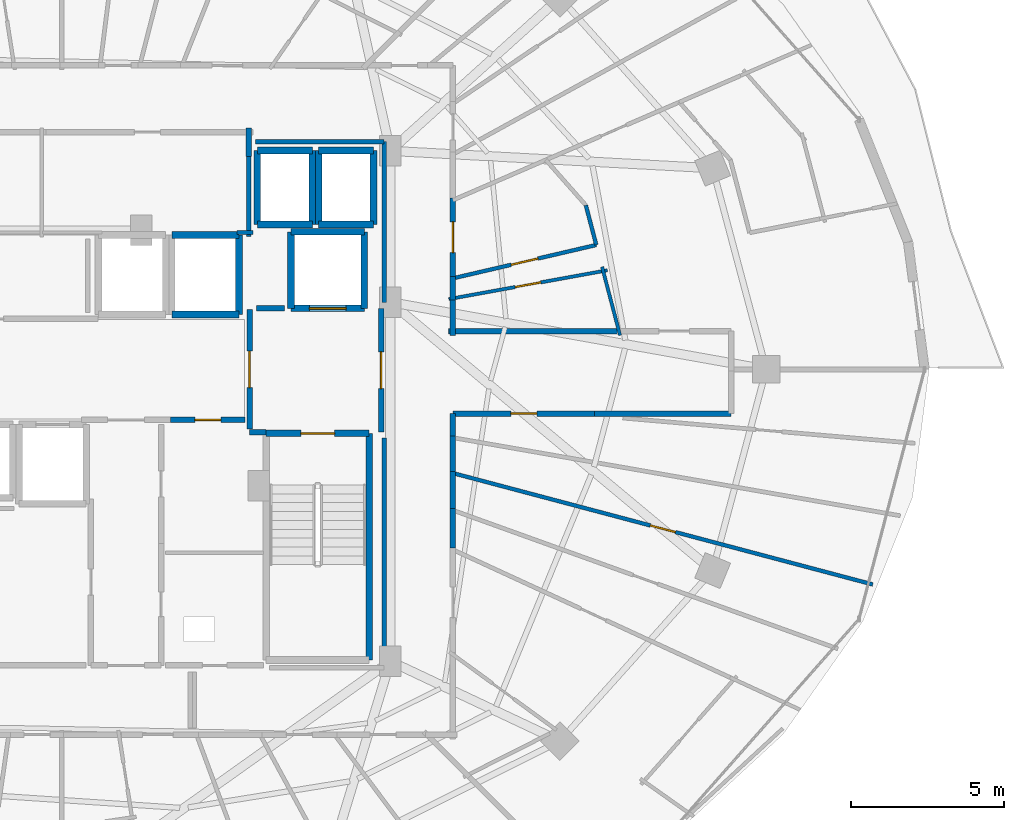
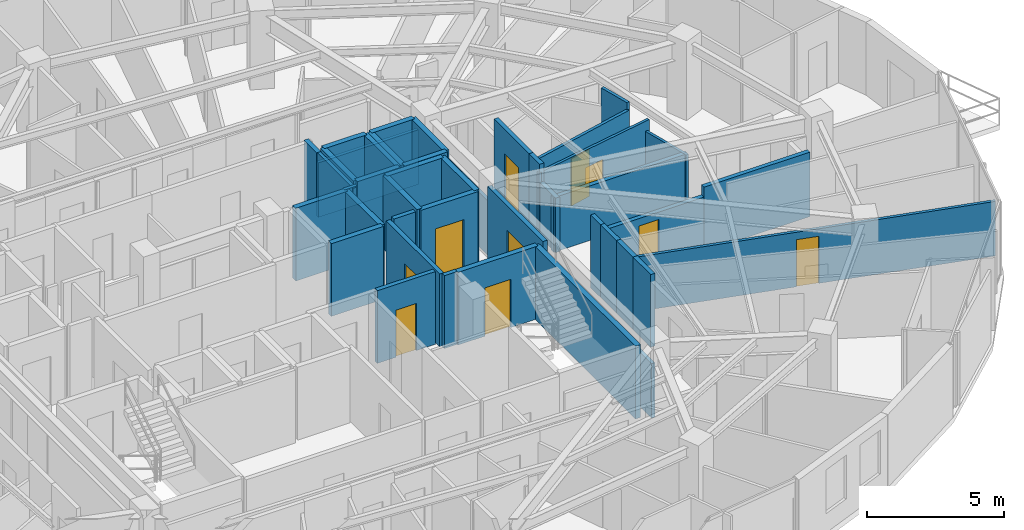
# One storey, part 28 of 34: 43 walls, 10 doors, 10 openings.
"""IFC4 building model written with IfcOpenShell, lengths in metres."""

from ifc_helpers import new_model, si_unit, direction, frame, frame_2d, origin, place, context, subcontext, project, spatial, rectangle, extrude, material, layer, layer_set, type_object, element, fill, save


model = new_model("IFC4")

# Units and contexts
model_context = context("Model", 3, precision=1e-05, world=origin(), true_north=direction((0.0, 1.0)))
body_context = subcontext(model_context, "Body", "Model", "MODEL_VIEW")
ifc_project = project(units=[si_unit("LENGTHUNIT", "METRE"), si_unit("AREAUNIT", "SQUARE_METRE"), si_unit("VOLUMEUNIT", "CUBIC_METRE"), si_unit("PLANEANGLEUNIT", "RADIAN"), si_unit("MASSUNIT", "GRAM", prefix="KILO")], contexts=[model_context])

# Site, building, storey
site_placement = place(None, origin())
site = spatial("IfcSite", under=ifc_project, at=site_placement, CompositionType="ELEMENT")
building_placement = place(site_placement, origin())
building = spatial("IfcBuilding", under=site, at=building_placement, Name="Vorneva Point Tower", CompositionType="ELEMENT")
storey_placement = place(building_placement, frame((0.0, 0.0, 182.60009765625)))
storey = spatial("IfcBuildingStorey", under=building, at=storey_placement, Name="L49", CompositionType="ELEMENT", Elevation=182.60009765625)

# Wall, opening, door
ifc_material_1 = material(Name="Concrete B60 (C50/60)", Category="concrete")
ifc_layer_1 = layer(ifc_material_1, 0.35009765625)
ifc_layer_set_1 = layer_set([ifc_layer_1], Name="Concrete B60 (C50/60)")
wall_type_1 = type_object("IfcWallType", Name="WL-CORE-350", PredefinedType="SHEAR", material=ifc_layer_set_1)
wall_1_placement = place(storey_placement, frame((45.5, 28.0, 0.0), z_axis=(0.0, 0.0, 1.0), x_axis=(1.0, 0.0, 0.0)))
wall_1 = element("IfcWall", 1, at=wall_1_placement, inside=storey, type_object=wall_type_1, Name="L49 Lift FFL2 Shaft Wall -Y", PredefinedType="SHEAR", context=body_context, shape_type="SweptSolid", body=[
    extrude(rectangle(XDim=2.39990234375, YDim=0.219970703125, at=frame_2d((1.199951171875, 0.0))), origin(), (0.0, 0.0, 1.0), 3.239990234375),
])
opening_1_placement = place(wall_1_placement, frame((0.60009765625, 0.0, 0.0)))
opening_1 = element("IfcOpeningElement", 2, at=opening_1_placement, cuts=wall_1, Name="Opening LD-02", PredefinedType="OPENING", context=body_context, shape_type="SweptSolid", body=[
    extrude(rectangle(XDim=1.199951171875, YDim=2.199951171875, at=frame_2d((0.60009765625, 1.10009765625))), frame((0.0, 0.125, 0.0), z_axis=(0.0, -1.0, 0.0), x_axis=(1.0, 0.0, 0.0)), (0.0, 0.0, 1.0), 0.249755859375),
])
ifc_material_2 = material(Name="Brushed stainless steel S304", Category="steel")
door_type_1 = type_object("IfcDoorType", Name="LD-FIRE-1200", OperationType="SLIDING_TO_LEFT", PredefinedType="DOOR", material=ifc_material_2)
door_1_placement = place(opening_1_placement, origin())
door_1 = element("IfcDoor", 3, at=door_1_placement, inside=storey, type_object=door_type_1, Name="L49 Lift FFL2 Sliding Landing Door", OperationType="SLIDING_TO_LEFT", OverallHeight=2.199951171875, OverallWidth=1.199951171875, PredefinedType="DOOR", context=body_context, shape_type="SweptSolid", body=[
    extrude(rectangle(XDim=1.199951171875, YDim=2.199951171875, at=frame_2d((0.60009765625, 1.10009765625))), frame((0.0, 0.02490234375, 0.0), z_axis=(0.0, -1.0, 0.0), x_axis=(1.0, 0.0, 0.0)), (0.0, 0.0, 1.0), 0.050048828125),
])
fill(opening_1, door_1)

# Walls
wall_2_placement = place(storey_placement, frame((47.89990234375, 28.0, 0.0), z_axis=(0.0, 0.0, 1.0), x_axis=(0.0, 1.0, 0.0)))
element("IfcWall", 4, at=wall_2_placement, inside=storey, type_object=wall_type_1, Name="L49 Lift FFL2 Shaft Wall +X", PredefinedType="SHEAR", context=body_context, shape_type="SweptSolid", body=[
    extrude(rectangle(XDim=2.5, YDim=0.219970703125, at=frame_2d((1.25, 0.0))), origin(), (0.0, 0.0, 1.0), 3.239990234375),
])
wall_3_placement = place(storey_placement, frame((47.89990234375, 30.5, 0.0), z_axis=(0.0, 0.0, 1.0), x_axis=(-1.0, 0.0, 0.0)))
element("IfcWall", 5, at=wall_3_placement, inside=storey, type_object=wall_type_1, Name="L49 Lift FFL2 Shaft Wall +Y", PredefinedType="SHEAR", context=body_context, shape_type="SweptSolid", body=[
    extrude(rectangle(XDim=2.39990234375, YDim=0.219970703125, at=frame_2d((1.199951171875, 0.0))), origin(), (0.0, 0.0, 1.0), 3.239990234375),
])
wall_4_placement = place(storey_placement, frame((45.5, 30.5, 0.0), z_axis=(0.0, 0.0, 1.0), x_axis=(0.0, -1.0, 0.0)))
element("IfcWall", 6, at=wall_4_placement, inside=storey, type_object=wall_type_1, Name="L49 Lift FFL2 Shaft Wall -X", PredefinedType="SHEAR", context=body_context, shape_type="SweptSolid", body=[
    extrude(rectangle(XDim=2.5, YDim=0.219970703125, at=frame_2d((1.25, 0.0))), origin(), (0.0, 0.0, 1.0), 3.239990234375),
])

# Wall, opening, door
ifc_material_3 = material(Name="Fire-rated acoustic gypsum stud partition", Category="gypsum")
ifc_layer_2 = layer(ifc_material_3, 0.110107421875)
ifc_layer_set_2 = layer_set([ifc_layer_2], Name="Fire-rated acoustic gypsum stud partition")
wall_type_2 = type_object("IfcWallType", Name="WL-PART-110", PredefinedType="PARTITIONING", material=ifc_layer_set_2)
wall_5_placement = place(storey_placement, frame((50.662353515625, 28.300048828125, 0.0), z_axis=(0.0, 0.0, 1.0), x_axis=(0.983892120625, 0.178763237197, 0.0)))
wall_5 = element("IfcWall", 7, at=wall_5_placement, inside=storey, type_object=wall_type_2, Name="L49 Interior Partition 092", PredefinedType="PARTITIONING", context=body_context, shape_type="SweptSolid", body=[
    extrude(rectangle(XDim=5.2744140625, YDim=0.110107421875, at=frame_2d((2.63720703125, 0.0))), origin(), (0.0, 0.0, 1.0), 2.8740234375),
])
opening_2_placement = place(wall_5_placement, frame((2.212158203125, 0.0, 0.0)))
opening_2 = element("IfcOpeningElement", 8, at=opening_2_placement, cuts=wall_5, Name="Opening ID-02", PredefinedType="OPENING", context=body_context, shape_type="SweptSolid", body=[
    extrude(rectangle(XDim=0.85009765625, YDim=2.10009765625, at=frame_2d((0.425048828125, 1.050048828125))), frame((0.0, 0.06982421875, 0.0), z_axis=(0.0, -1.0, 0.0), x_axis=(1.0, 0.0, 0.0)), (0.0, 0.0, 1.0), 0.139892578125),
])
ifc_material_4 = material(Name="Engineered oak fire-rated door leaf", Category="wood")
door_type_2 = type_object("IfcDoorType", Name="DR-BATH-850", OperationType="NOTDEFINED", PredefinedType="DOOR", material=ifc_material_4)
door_2_placement = place(opening_2_placement, origin())
door_2 = element("IfcDoor", 9, at=door_2_placement, inside=storey, type_object=door_type_2, Name="L49 Door Living and Dining Room L49-01 / Bathroom L49-01", OperationType="SINGLE_SWING_RIGHT", OverallHeight=2.10009765625, OverallWidth=0.85009765625, PredefinedType="DOOR", context=body_context, shape_type="SweptSolid", body=[
    extrude(rectangle(XDim=0.85009765625, YDim=2.10009765625, at=frame_2d((0.425048828125, 1.050048828125))), frame((0.0, 0.02490234375, 0.0), z_axis=(0.0, -1.0, 0.0), x_axis=(1.0, 0.0, 0.0)), (0.0, 0.0, 1.0), 0.050048828125),
])
fill(opening_2, door_2)

# Walls
wall_6_placement = place(storey_placement, frame((55.678466796875, 29.353515625, 0.0), z_axis=(0.0, 0.0, 1.0), x_axis=(0.254057219361, -0.96718919002, 0.0)))
element("IfcWall", 10, at=wall_6_placement, inside=storey, type_object=wall_type_2, Name="L49 Interior Partition 093", PredefinedType="PARTITIONING", context=body_context, shape_type="SweptSolid", body=[
    extrude(rectangle(XDim=2.31494140625, YDim=0.110107421875, at=frame_2d((1.157470703125, 0.0))), origin(), (0.0, 0.0, 1.0), 2.431884765625),
])
ifc_layer_3 = layer(ifc_material_3, 0.125)
ifc_layer_set_3 = layer_set([ifc_layer_3], Name="Fire-rated acoustic gypsum stud partition")
wall_type_3 = type_object("IfcWallType", Name="WL-PART-125", PredefinedType="PARTITIONING", material=ifc_layer_set_3)
wall_7_placement = place(storey_placement, frame((55.14697265625, 31.37109375, 0.0), z_axis=(0.0, 0.0, 1.0), x_axis=(0.25443966192, -0.967088650767, 0.0)))
element("IfcWall", 11, at=wall_7_placement, inside=storey, type_object=wall_type_3, Name="L49 Interior Partition 089", PredefinedType="PARTITIONING", context=body_context, shape_type="SweptSolid", body=[
    extrude(rectangle(XDim=1.34423828125, YDim=0.125, at=frame_2d((0.672119140625, 0.0))), origin(), (0.0, 0.0, 1.0), 3.239990234375),
])

# Wall, opening, door
wall_8_placement = place(storey_placement, frame((55.489013671875, 30.071044921875, 0.0), z_axis=(0.0, 0.0, 1.0), x_axis=(-0.973980178663, -0.226633209333, 0.0)))
wall_8 = element("IfcWall", 12, at=wall_8_placement, inside=storey, type_object=wall_type_3, Name="L49 Interior Partition 090", PredefinedType="PARTITIONING", context=body_context, shape_type="SweptSolid", body=[
    extrude(rectangle(XDim=4.814208984375, YDim=0.125, at=frame_2d((2.4072265625, 0.0))), origin(), (0.0, 0.0, 1.0), 2.921875),
])
opening_3_placement = place(wall_8_placement, frame((1.95703125, 0.0, 0.0)))
opening_3 = element("IfcOpeningElement", 13, at=opening_3_placement, cuts=wall_8, Name="Opening ID-01", PredefinedType="OPENING", context=body_context, shape_type="SweptSolid", body=[
    extrude(rectangle(XDim=0.89990234375, YDim=2.10009765625, at=frame_2d((0.449951171875, 1.050048828125))), frame((0.0, 0.077392578125, 0.0), z_axis=(0.0, -1.0, 0.0), x_axis=(1.0, 0.0, 0.0)), (0.0, 0.0, 1.0), 0.15478515625),
])
door_type_3 = type_object("IfcDoorType", Name="DR-ROOM-900", OperationType="NOTDEFINED", PredefinedType="DOOR", material=ifc_material_4)
door_3_placement = place(opening_3_placement, origin())
door_3 = element("IfcDoor", 14, at=door_3_placement, inside=storey, type_object=door_type_3, Name="L49 Door Living and Dining Room L49-01 / Family Dining Room L49-01", OperationType="SINGLE_SWING_LEFT", OverallHeight=2.10009765625, OverallWidth=0.89990234375, PredefinedType="DOOR", context=body_context, shape_type="SweptSolid", body=[
    extrude(rectangle(XDim=0.89990234375, YDim=2.10009765625, at=frame_2d((0.449951171875, 1.050048828125))), frame((0.0, 0.02490234375, 0.0), z_axis=(0.0, -1.0, 0.0), x_axis=(1.0, 0.0, 0.0)), (0.0, 0.0, 1.0), 0.050048828125),
])
fill(opening_3, door_3)

wall_9_placement = place(storey_placement, frame((64.534912109375, 18.964111328125, 0.0), z_axis=(0.0, 0.0, 1.0), x_axis=(-0.966598137313, 0.256296782934, 0.0)))
wall_9 = element("IfcWall", 15, at=wall_9_placement, inside=storey, type_object=wall_type_3, Name="L49 Interior Partition 186", PredefinedType="PARTITIONING", context=body_context, shape_type="SweptSolid", body=[
    extrude(rectangle(XDim=14.20947265625, YDim=0.125, at=frame_2d((7.104736328125, 0.0))), origin(), (0.0, 0.0, 1.0), 2.431884765625),
])
opening_4_placement = place(wall_9_placement, frame((6.6796875, 0.0, 0.0)))
opening_4 = element("IfcOpeningElement", 16, at=opening_4_placement, cuts=wall_9, Name="Opening ID-02", PredefinedType="OPENING", context=body_context, shape_type="SweptSolid", body=[
    extrude(rectangle(XDim=0.85009765625, YDim=2.10009765625, at=frame_2d((0.425048828125, 1.050048828125))), frame((0.0, 0.077392578125, 0.0), z_axis=(0.0, -1.0, 0.0), x_axis=(1.0, 0.0, 0.0)), (0.0, 0.0, 1.0), 0.15478515625),
])
door_4_placement = place(opening_4_placement, origin())
door_4 = element("IfcDoor", 17, at=door_4_placement, inside=storey, type_object=door_type_2, Name="L49 Access Door Bedroom L49-08.2", OperationType="SINGLE_SWING_LEFT", OverallHeight=2.10009765625, OverallWidth=0.85009765625, PredefinedType="DOOR", context=body_context, shape_type="SweptSolid", body=[
    extrude(rectangle(XDim=0.85009765625, YDim=2.10009765625, at=frame_2d((0.425048828125, 1.050048828125))), frame((0.0, 0.02490234375, 0.0), z_axis=(0.0, -1.0, 0.0), x_axis=(1.0, 0.0, 0.0)), (0.0, 0.0, 1.0), 0.050048828125),
])
fill(opening_4, door_4)

# Walls
ifc_layer_4 = layer(ifc_material_3, 0.139892578125)
ifc_layer_set_4 = layer_set([ifc_layer_4], Name="Fire-rated acoustic gypsum stud partition")
wall_type_4 = type_object("IfcWallType", Name="WL-PART-140", PredefinedType="PARTITIONING", material=ifc_layer_set_4)
wall_10_placement = place(storey_placement, frame((43.735107421875, 30.47998046875, 0.0), z_axis=(0.0, 0.0, 1.0), x_axis=(1.0, 0.0, 0.0)))
element("IfcWall", 18, at=wall_10_placement, inside=storey, type_object=wall_type_4, Name="L49 Interior Closure Partition 192", PredefinedType="PARTITIONING", context=body_context, shape_type="SweptSolid", body=[
    extrude(rectangle(XDim=0.52490234375, YDim=0.139892578125, at=frame_2d((0.262451171875, 0.0))), origin(), (0.0, 0.0, 1.0), 3.239990234375),
])
wall_11_placement = place(storey_placement, frame((44.1201171875, 30.340087890625, 0.0), z_axis=(0.0, 0.0, 1.0), x_axis=(0.0, 1.0, 0.0)))
element("IfcWall", 19, at=wall_11_placement, inside=storey, type_object=wall_type_4, Name="L49 Interior Closure Partition 193", PredefinedType="PARTITIONING", context=body_context, shape_type="SweptSolid", body=[
    extrude(rectangle(XDim=2.659912109375, YDim=0.139892578125, at=frame_2d((1.330078125, 0.0))), origin(), (0.0, 0.0, 1.0), 3.239990234375),
])
wall_12_placement = place(storey_placement, frame((48.550048828125, 16.239990234375, 0.0), z_axis=(0.0, 0.0, 1.0), x_axis=(0.0, 1.0, 0.0)))
element("IfcWall", 20, at=wall_12_placement, inside=storey, type_object=wall_type_4, Name="L49 Interior Closure Partition 198", PredefinedType="PARTITIONING", context=body_context, shape_type="SweptSolid", body=[
    extrude(rectangle(XDim=7.513916015625, YDim=0.139892578125, at=frame_2d((3.7568359375, 0.0))), origin(), (0.0, 0.0, 1.0), 2.431884765625),
])
wall_13_placement = place(storey_placement, frame((48.550048828125, 28.196044921875, 0.0), z_axis=(0.0, 0.0, 1.0), x_axis=(0.0, 1.0, 0.0)))
element("IfcWall", 21, at=wall_13_placement, inside=storey, type_object=wall_type_4, Name="L49 Interior Closure Partition 199", PredefinedType="PARTITIONING", context=body_context, shape_type="SweptSolid", body=[
    extrude(rectangle(XDim=5.25390625, YDim=0.139892578125, at=frame_2d((2.626953125, 0.0))), origin(), (0.0, 0.0, 1.0), 2.431884765625),
])
wall_14_placement = place(storey_placement, frame((48.550048828125, 33.449951171875, 0.0), z_axis=(0.0, 0.0, 1.0), x_axis=(-1.0, 0.0, 0.0)))
element("IfcWall", 22, at=wall_14_placement, inside=storey, type_object=wall_type_4, Name="L49 Interior Closure Partition 200", PredefinedType="PARTITIONING", context=body_context, shape_type="SweptSolid", body=[
    extrude(rectangle(XDim=4.2099609375, YDim=0.139892578125, at=frame_2d((2.10498046875, 0.0))), origin(), (0.0, 0.0, 1.0), 2.431884765625),
])

# Wall, opening, door
ifc_material_5 = material(Name="Autoclaved aerated concrete blockwork", Category="masonry")
ifc_layer_5 = layer(ifc_material_5, 0.179931640625)
ifc_layer_set_5 = layer_set([ifc_layer_5], Name="Autoclaved aerated concrete blockwork")
wall_type_5 = type_object("IfcWallType", Name="WL-PART-180", PredefinedType="PARTITIONING", material=ifc_layer_set_5)
wall_15_placement = place(storey_placement, frame((44.14990234375, 27.955078125, 0.0), z_axis=(0.0, 0.0, 1.0), x_axis=(0.0, -1.0, 0.0)))
wall_15 = element("IfcWall", 23, at=wall_15_placement, inside=storey, type_object=wall_type_5, Name="L49 Interior Partition 003", PredefinedType="PARTITIONING", context=body_context, shape_type="SweptSolid", body=[
    extrude(rectangle(XDim=3.91015625, YDim=0.179931640625, at=frame_2d((1.955078125, 0.0))), origin(), (0.0, 0.0, 1.0), 3.239990234375),
])
opening_5_placement = place(wall_15_placement, frame((1.35498046875, 0.0, 0.0)))
opening_5 = element("IfcOpeningElement", 24, at=opening_5_placement, cuts=wall_15, Name="Opening FD-02", PredefinedType="OPENING", context=body_context, shape_type="SweptSolid", body=[
    extrude(rectangle(XDim=1.199951171875, YDim=2.14990234375, at=frame_2d((0.60009765625, 1.074951171875))), frame((0.0, 0.10498046875, 0.0), z_axis=(0.0, -1.0, 0.0), x_axis=(1.0, 0.0, 0.0)), (0.0, 0.0, 1.0), 0.209716796875),
])
ifc_material_6 = material(Name="Fire-rated powder-coated steel", Category="steel")
door_type_4 = type_object("IfcDoorType", Name="DR-FFL-1200", OperationType="NOTDEFINED", PredefinedType="DOOR", material=ifc_material_6)
door_5_placement = place(opening_5_placement, origin())
door_5 = element("IfcDoor", 25, at=door_5_placement, inside=storey, type_object=door_type_4, Name="L49 Door East Firefighting Lobby / Central Lift Lobby", OperationType="SINGLE_SWING_RIGHT", OverallHeight=2.14990234375, OverallWidth=1.199951171875, PredefinedType="DOOR", context=body_context, shape_type="SweptSolid", body=[
    extrude(rectangle(XDim=1.199951171875, YDim=2.14990234375, at=frame_2d((0.60009765625, 1.074951171875))), frame((0.0, 0.02490234375, 0.0), z_axis=(0.0, -1.0, 0.0), x_axis=(1.0, 0.0, 0.0)), (0.0, 0.0, 1.0), 0.050048828125),
])
fill(opening_5, door_5)

# Wall
wall_16_placement = place(storey_placement, frame((44.14990234375, 23.949951171875, 0.0), z_axis=(0.0, 0.0, 1.0), x_axis=(1.0, 0.0, 0.0)))
element("IfcWall", 26, at=wall_16_placement, inside=storey, type_object=wall_type_5, Name="L49 Interior Partition 004", PredefinedType="PARTITIONING", context=body_context, shape_type="SweptSolid", body=[
    extrude(rectangle(XDim=0.5400390625, YDim=0.179931640625, at=frame_2d((0.27001953125, 0.0))), origin(), (0.0, 0.0, 1.0), 3.239990234375),
])

# Wall, opening, door
wall_17_placement = place(storey_placement, frame((48.449951171875, 23.949951171875, 0.0), z_axis=(0.0, 0.0, 1.0), x_axis=(0.0, 1.0, 0.0)))
wall_17 = element("IfcWall", 27, at=wall_17_placement, inside=storey, type_object=wall_type_5, Name="L49 Interior Partition 005", PredefinedType="PARTITIONING", context=body_context, shape_type="SweptSolid", body=[
    extrude(rectangle(XDim=4.050048828125, YDim=0.179931640625, at=frame_2d((2.02490234375, 0.0))), origin(), (0.0, 0.0, 1.0), 3.239990234375),
])
opening_6_placement = place(wall_17_placement, frame((1.425048828125, 0.0, 0.0)))
opening_6 = element("IfcOpeningElement", 28, at=opening_6_placement, cuts=wall_17, Name="Opening FD-02", PredefinedType="OPENING", context=body_context, shape_type="SweptSolid", body=[
    extrude(rectangle(XDim=1.199951171875, YDim=2.14990234375, at=frame_2d((0.60009765625, 1.074951171875))), frame((0.0, 0.10498046875, 0.0), z_axis=(0.0, -1.0, 0.0), x_axis=(1.0, 0.0, 0.0)), (0.0, 0.0, 1.0), 0.209716796875),
])
door_6_placement = place(opening_6_placement, origin())
door_6 = element("IfcDoor", 29, at=door_6_placement, inside=storey, type_object=door_type_4, Name="L49 Door East Firefighting Lobby / L49 Circulation Corridor", OperationType="SINGLE_SWING_LEFT", OverallHeight=2.14990234375, OverallWidth=1.199951171875, PredefinedType="DOOR", context=body_context, shape_type="SweptSolid", body=[
    extrude(rectangle(XDim=1.199951171875, YDim=2.14990234375, at=frame_2d((0.60009765625, 1.074951171875))), frame((0.0, 0.02490234375, 0.0), z_axis=(0.0, -1.0, 0.0), x_axis=(1.0, 0.0, 0.0)), (0.0, 0.0, 1.0), 0.050048828125),
])
fill(opening_6, door_6)

wall_18_placement = place(storey_placement, frame((41.554931640625, 24.35009765625, 0.0), z_axis=(0.0, 0.0, 1.0), x_axis=(1.0, 0.0, 0.0)))
wall_18 = element("IfcWall", 30, at=wall_18_placement, inside=storey, type_object=wall_type_5, Name="L49 Interior Partition 011", PredefinedType="PARTITIONING", context=body_context, shape_type="SweptSolid", body=[
    extrude(rectangle(XDim=2.445068359375, YDim=0.179931640625, at=frame_2d((1.22265625, 0.0))), origin(), (0.0, 0.0, 1.0), 3.239990234375),
])
opening_7_placement = place(wall_18_placement, frame((0.797607421875, 0.0, 0.0)))
opening_7 = element("IfcOpeningElement", 31, at=opening_7_placement, cuts=wall_18, Name="Opening ID-02", PredefinedType="OPENING", context=body_context, shape_type="SweptSolid", body=[
    extrude(rectangle(XDim=0.85009765625, YDim=2.10009765625, at=frame_2d((0.425048828125, 1.050048828125))), frame((0.0, 0.10498046875, 0.0), z_axis=(0.0, -1.0, 0.0), x_axis=(1.0, 0.0, 0.0)), (0.0, 0.0, 1.0), 0.209716796875),
])
door_7_placement = place(opening_7_placement, origin())
door_7 = element("IfcDoor", 32, at=door_7_placement, inside=storey, type_object=door_type_2, Name="L49 Door Central Lift Lobby / Cleaners Store", OperationType="SINGLE_SWING_RIGHT", OverallHeight=2.10009765625, OverallWidth=0.85009765625, PredefinedType="DOOR", context=body_context, shape_type="SweptSolid", body=[
    extrude(rectangle(XDim=0.85009765625, YDim=2.10009765625, at=frame_2d((0.425048828125, 1.050048828125))), frame((0.0, 0.02490234375, 0.0), z_axis=(0.0, -1.0, 0.0), x_axis=(1.0, 0.0, 0.0)), (0.0, 0.0, 1.0), 0.050048828125),
])
fill(opening_7, door_7)

# Walls
wall_19_placement = place(storey_placement, frame((44.1201171875, 32.969970703125, 0.0), z_axis=(0.0, 0.0, 1.0), x_axis=(0.0, 1.0, 0.0)))
element("IfcWall", 33, at=wall_19_placement, inside=storey, type_object=wall_type_5, Name="L49 Interior Partition 024", PredefinedType="PARTITIONING", context=body_context, shape_type="SweptSolid", body=[
    extrude(rectangle(XDim=0.929931640625, YDim=0.179931640625, at=frame_2d((0.46484375, 0.0))), origin(), (0.0, 0.0, 1.0), 3.239990234375),
])
wall_20_placement = place(storey_placement, frame((50.800048828125, 28.264892578125, 0.0), z_axis=(0.0, 0.0, 1.0), x_axis=(0.0, 1.0, 0.0)))
element("IfcWall", 34, at=wall_20_placement, inside=storey, type_object=wall_type_5, Name="L49 Interior Partition 028", PredefinedType="PARTITIONING", context=body_context, shape_type="SweptSolid", body=[
    extrude(rectangle(XDim=0.777099609375, YDim=0.179931640625, at=frame_2d((0.388671875, 0.0))), origin(), (0.0, 0.0, 1.0), 3.239990234375),
])

# Wall, opening, door
wall_21_placement = place(storey_placement, frame((50.800048828125, 29.0419921875, 0.0), z_axis=(0.0, 0.0, 1.0), x_axis=(0.0, 1.0, 0.0)))
wall_21 = element("IfcWall", 35, at=wall_21_placement, inside=storey, type_object=wall_type_5, Name="L49 Interior Partition 029", PredefinedType="PARTITIONING", context=body_context, shape_type="SweptSolid", body=[
    extrude(rectangle(XDim=2.56201171875, YDim=0.179931640625, at=frame_2d((1.281005859375, 0.0))), origin(), (0.0, 0.0, 1.0), 3.239990234375),
])
opening_8_placement = place(wall_21_placement, frame((0.781005859375, 0.0, 0.0)))
opening_8 = element("IfcOpeningElement", 36, at=opening_8_placement, cuts=wall_21, Name="Opening UD-01", PredefinedType="OPENING", context=body_context, shape_type="SweptSolid", body=[
    extrude(rectangle(XDim=1.0, YDim=2.14990234375, at=frame_2d((0.5, 1.074951171875))), frame((0.0, 0.10498046875, 0.0), z_axis=(0.0, -1.0, 0.0), x_axis=(1.0, 0.0, 0.0)), (0.0, 0.0, 1.0), 0.209716796875),
])
door_type_5 = type_object("IfcDoorType", Name="DR-UNIT-1000", OperationType="NOTDEFINED", PredefinedType="DOOR", material=ifc_material_4)
door_8_placement = place(opening_8_placement, origin())
door_8 = element("IfcDoor", 37, at=door_8_placement, inside=storey, type_object=door_type_5, Name="L49 Door L49 Circulation Corridor / Family Dining Room L49-01", OperationType="SINGLE_SWING_LEFT", OverallHeight=2.14990234375, OverallWidth=1.0, PredefinedType="DOOR", context=body_context, shape_type="SweptSolid", body=[
    extrude(rectangle(XDim=1.0, YDim=2.14990234375, at=frame_2d((0.5, 1.074951171875))), frame((0.0, 0.02490234375, 0.0), z_axis=(0.0, -1.0, 0.0), x_axis=(1.0, 0.0, 0.0)), (0.0, 0.0, 1.0), 0.050048828125),
])
fill(opening_8, door_8)

# Walls
wall_22_placement = place(storey_placement, frame((56.30908203125, 27.25, 0.0), z_axis=(0.0, 0.0, 1.0), x_axis=(-1.0, 0.0, 0.0)))
element("IfcWall", 38, at=wall_22_placement, inside=storey, type_object=wall_type_5, Name="L49 Interior Partition 030", PredefinedType="PARTITIONING", context=body_context, shape_type="SweptSolid", body=[
    extrude(rectangle(XDim=5.649169921875, YDim=0.179931640625, at=frame_2d((2.82470703125, 0.0))), origin(), (0.0, 0.0, 1.0), 2.431884765625),
])
wall_23_placement = place(storey_placement, frame((50.800048828125, 27.110107421875, 0.0), z_axis=(0.0, 0.0, 1.0), x_axis=(0.0, 1.0, 0.0)))
element("IfcWall", 39, at=wall_23_placement, inside=storey, type_object=wall_type_5, Name="L49 Interior Partition 031", PredefinedType="PARTITIONING", context=body_context, shape_type="SweptSolid", body=[
    extrude(rectangle(XDim=1.294921875, YDim=0.179931640625, at=frame_2d((0.6474609375, 0.0))), origin(), (0.0, 0.0, 1.0), 2.431884765625),
])
wall_24_placement = place(storey_placement, frame((50.800048828125, 20.158935546875, 0.0), z_axis=(0.0, 0.0, 1.0), x_axis=(0.0, 1.0, 0.0)))
element("IfcWall", 40, at=wall_24_placement, inside=storey, type_object=wall_type_5, Name="L49 Interior Partition 081", PredefinedType="PARTITIONING", context=body_context, shape_type="SweptSolid", body=[
    extrude(rectangle(XDim=1.29296875, YDim=0.179931640625, at=frame_2d((0.646484375, 0.0))), origin(), (0.0, 0.0, 1.0), 3.239990234375),
])
wall_25_placement = place(storey_placement, frame((50.800048828125, 21.451904296875, 0.0), z_axis=(0.0, 0.0, 1.0), x_axis=(0.0, 1.0, 0.0)))
element("IfcWall", 41, at=wall_25_placement, inside=storey, type_object=wall_type_5, Name="L49 Interior Partition 082", PredefinedType="PARTITIONING", context=body_context, shape_type="SweptSolid", body=[
    extrude(rectangle(XDim=1.214111328125, YDim=0.179931640625, at=frame_2d((0.60693359375, 0.0))), origin(), (0.0, 0.0, 1.0), 3.239990234375),
])
wall_26_placement = place(storey_placement, frame((50.800048828125, 22.666015625, 0.0), z_axis=(0.0, 0.0, 1.0), x_axis=(0.0, 1.0, 0.0)))
element("IfcWall", 42, at=wall_26_placement, inside=storey, type_object=wall_type_5, Name="L49 Interior Partition 083", PredefinedType="PARTITIONING", context=body_context, shape_type="SweptSolid", body=[
    extrude(rectangle(XDim=1.159912109375, YDim=0.179931640625, at=frame_2d((0.580078125, 0.0))), origin(), (0.0, 0.0, 1.0), 3.239990234375),
])
wall_27_placement = place(storey_placement, frame((50.800048828125, 23.825927734375, 0.0), z_axis=(0.0, 0.0, 1.0), x_axis=(0.0, 1.0, 0.0)))
element("IfcWall", 43, at=wall_27_placement, inside=storey, type_object=wall_type_5, Name="L49 Interior Partition 084", PredefinedType="PARTITIONING", context=body_context, shape_type="SweptSolid", body=[
    extrude(rectangle(XDim=0.72412109375, YDim=0.179931640625, at=frame_2d((0.362060546875, 0.0))), origin(), (0.0, 0.0, 1.0), 3.239990234375),
])

# Wall, opening, door
wall_28_placement = place(storey_placement, frame((50.800048828125, 24.550048828125, 0.0), z_axis=(0.0, 0.0, 1.0), x_axis=(1.0, 0.0, 0.0)))
wall_28 = element("IfcWall", 44, at=wall_28_placement, inside=storey, type_object=wall_type_5, Name="L49 Interior Partition 085", PredefinedType="PARTITIONING", context=body_context, shape_type="SweptSolid", body=[
    extrude(rectangle(XDim=4.636962890625, YDim=0.179931640625, at=frame_2d((2.318359375, 0.0))), origin(), (0.0, 0.0, 1.0), 2.431884765625),
])
opening_9_placement = place(wall_28_placement, frame((1.8935546875, 0.0, 0.0)))
opening_9 = element("IfcOpeningElement", 45, at=opening_9_placement, cuts=wall_28, Name="Opening ID-02", PredefinedType="OPENING", context=body_context, shape_type="SweptSolid", body=[
    extrude(rectangle(XDim=0.85009765625, YDim=2.10009765625, at=frame_2d((0.425048828125, 1.050048828125))), frame((0.0, 0.10498046875, 0.0), z_axis=(0.0, -1.0, 0.0), x_axis=(1.0, 0.0, 0.0)), (0.0, 0.0, 1.0), 0.209716796875),
])
door_9_placement = place(opening_9_placement, origin())
door_9 = element("IfcDoor", 46, at=door_9_placement, inside=storey, type_object=door_type_2, Name="L49 Access Door L49 Circulation Corridor", OperationType="SINGLE_SWING_LEFT", OverallHeight=2.10009765625, OverallWidth=0.85009765625, PredefinedType="DOOR", context=body_context, shape_type="SweptSolid", body=[
    extrude(rectangle(XDim=0.85009765625, YDim=2.10009765625, at=frame_2d((0.425048828125, 1.050048828125))), frame((0.0, 0.02490234375, 0.0), z_axis=(0.0, -1.0, 0.0), x_axis=(1.0, 0.0, 0.0)), (0.0, 0.0, 1.0), 0.050048828125),
])
fill(opening_9, door_9)

# Walls
wall_29_placement = place(storey_placement, frame((55.43701171875, 24.550048828125, 0.0), z_axis=(0.0, 0.0, 1.0), x_axis=(1.0, 0.0, 0.0)))
element("IfcWall", 47, at=wall_29_placement, inside=storey, type_object=wall_type_5, Name="L49 Interior Partition 086", PredefinedType="PARTITIONING", context=body_context, shape_type="SweptSolid", body=[
    extrude(rectangle(XDim=4.462890625, YDim=0.179931640625, at=frame_2d((2.2314453125, 0.0))), origin(), (0.0, 0.0, 1.0), 2.8740234375),
])
wall_30_placement = place(storey_placement, frame((45.280029296875, 28.0, 0.0), z_axis=(0.0, 0.0, 1.0), x_axis=(-1.0, 0.0, 0.0)))
element("IfcWall", 48, at=wall_30_placement, inside=storey, type_object=wall_type_5, Name="L49 Interior Closure Partition 190", PredefinedType="PARTITIONING", context=body_context, shape_type="SweptSolid", body=[
    extrude(rectangle(XDim=0.9150390625, YDim=0.179931640625, at=frame_2d((0.45751953125, 0.0))), origin(), (0.0, 0.0, 1.0), 3.239990234375),
])

# Wall, opening, door
ifc_material_7 = material(Name="Concrete B50 (C40/50)", Category="concrete")
ifc_layer_6 = layer(ifc_material_7, 0.219970703125)
ifc_layer_set_6 = layer_set([ifc_layer_6], Name="Concrete B50 (C40/50)")
wall_type_6 = type_object("IfcWallType", Name="WL-SHFT-220", PredefinedType="SOLIDWALL", material=ifc_layer_set_6)
wall_31_placement = place(storey_placement, frame((44.68994140625, 23.909912109375, 0.0), z_axis=(0.0, 0.0, 1.0), x_axis=(1.0, 0.0, 0.0)))
wall_31 = element("IfcWall", 49, at=wall_31_placement, inside=storey, type_object=wall_type_6, Name="L49 Exit Stair ST2 Shaft Wall near", PredefinedType="SOLIDWALL", context=body_context, shape_type="SweptSolid", body=[
    extrude(rectangle(XDim=3.3701171875, YDim=0.219970703125, at=frame_2d((1.68505859375, 0.0))), origin(), (0.0, 0.0, 1.0), 3.239990234375),
])
opening_10_placement = place(wall_31_placement, frame((1.135009765625, 0.0, 0.0)))
opening_10 = element("IfcOpeningElement", 50, at=opening_10_placement, cuts=wall_31, Name="Opening FD-01", PredefinedType="OPENING", context=body_context, shape_type="SweptSolid", body=[
    extrude(rectangle(XDim=1.10009765625, YDim=2.14990234375, at=frame_2d((0.550048828125, 1.074951171875))), frame((0.0, 0.125, 0.0), z_axis=(0.0, -1.0, 0.0), x_axis=(1.0, 0.0, 0.0)), (0.0, 0.0, 1.0), 0.249755859375),
])
door_type_6 = type_object("IfcDoorType", Name="DR-STAIR-1100", OperationType="NOTDEFINED", PredefinedType="DOOR", material=ifc_material_6)
door_10_placement = place(opening_10_placement, origin())
door_10 = element("IfcDoor", 51, at=door_10_placement, inside=storey, type_object=door_type_6, Name="L49 Exit Stair ST2 Fire Door", OperationType="SINGLE_SWING_RIGHT", OverallHeight=2.14990234375, OverallWidth=1.10009765625, PredefinedType="DOOR", context=body_context, shape_type="SweptSolid", body=[
    extrude(rectangle(XDim=1.10009765625, YDim=2.14990234375, at=frame_2d((0.550048828125, 1.074951171875))), frame((0.0, 0.02490234375, 0.0), z_axis=(0.0, -1.0, 0.0), x_axis=(1.0, 0.0, 0.0)), (0.0, 0.0, 1.0), 0.050048828125),
])
fill(opening_10, door_10)

# Walls
wall_32_placement = place(storey_placement, frame((48.06005859375, 23.909912109375, 0.0), z_axis=(0.0, 0.0, 1.0), x_axis=(0.0, -1.0, 0.0)))
element("IfcWall", 52, at=wall_32_placement, inside=storey, type_object=wall_type_6, Name="L49 Exit Stair ST2 Shaft Wall right", PredefinedType="SOLIDWALL", context=body_context, shape_type="SweptSolid", body=[
    extrude(rectangle(XDim=7.419921875, YDim=0.219970703125, at=frame_2d((3.7099609375, 0.0))), origin(), (0.0, 0.0, 1.0), 3.239990234375),
])
wall_33_placement = place(storey_placement, frame((41.60009765625, 27.800048828125, 0.0), z_axis=(0.0, 0.0, 1.0), x_axis=(1.0, 0.0, 0.0)))
element("IfcWall", 53, at=wall_33_placement, inside=storey, type_object=wall_type_6, Name="L49 Lift PL8 Shaft Wall -Y", PredefinedType="SOLIDWALL", context=body_context, shape_type="SweptSolid", body=[
    extrude(rectangle(XDim=2.199951171875, YDim=0.219970703125, at=frame_2d((1.10009765625, 0.0))), origin(), (0.0, 0.0, 1.0), 3.239990234375),
])
wall_34_placement = place(storey_placement, frame((43.800048828125, 27.800048828125, 0.0), z_axis=(0.0, 0.0, 1.0), x_axis=(0.0, 1.0, 0.0)))
element("IfcWall", 54, at=wall_34_placement, inside=storey, type_object=wall_type_6, Name="L49 Lift PL8 Shaft Wall +X", PredefinedType="SOLIDWALL", context=body_context, shape_type="SweptSolid", body=[
    extrude(rectangle(XDim=2.599853515625, YDim=0.219970703125, at=frame_2d((1.2998046875, 0.0))), origin(), (0.0, 0.0, 1.0), 3.239990234375),
])
wall_35_placement = place(storey_placement, frame((43.800048828125, 30.39990234375, 0.0), z_axis=(0.0, 0.0, 1.0), x_axis=(-1.0, 0.0, 0.0)))
element("IfcWall", 55, at=wall_35_placement, inside=storey, type_object=wall_type_6, Name="L49 Lift PL8 Shaft Wall +Y", PredefinedType="SOLIDWALL", context=body_context, shape_type="SweptSolid", body=[
    extrude(rectangle(XDim=2.199951171875, YDim=0.219970703125, at=frame_2d((1.10009765625, 0.0))), origin(), (0.0, 0.0, 1.0), 3.239990234375),
])
wall_36_placement = place(storey_placement, frame((44.39990234375, 30.739990234375, 0.0), z_axis=(0.0, 0.0, 1.0), x_axis=(1.0, 0.0, 0.0)))
element("IfcWall", 56, at=wall_36_placement, inside=storey, type_object=wall_type_6, Name="L49 Lift EX1 Shaft Wall -Y", PredefinedType="SOLIDWALL", context=body_context, shape_type="SweptSolid", body=[
    extrude(rectangle(XDim=1.800048828125, YDim=0.219970703125, at=frame_2d((0.89990234375, 0.0))), origin(), (0.0, 0.0, 1.0), 3.239990234375),
])
wall_37_placement = place(storey_placement, frame((46.199951171875, 30.739990234375, 0.0), z_axis=(0.0, 0.0, 1.0), x_axis=(0.0, 1.0, 0.0)))
element("IfcWall", 57, at=wall_37_placement, inside=storey, type_object=wall_type_6, Name="L49 Lift EX1 Shaft Wall +X", PredefinedType="SOLIDWALL", context=body_context, shape_type="SweptSolid", body=[
    extrude(rectangle(XDim=2.419921875, YDim=0.219970703125, at=frame_2d((1.2099609375, 0.0))), origin(), (0.0, 0.0, 1.0), 3.239990234375),
])
wall_38_placement = place(storey_placement, frame((46.199951171875, 33.159912109375, 0.0), z_axis=(0.0, 0.0, 1.0), x_axis=(-1.0, 0.0, 0.0)))
element("IfcWall", 58, at=wall_38_placement, inside=storey, type_object=wall_type_6, Name="L49 Lift EX1 Shaft Wall +Y", PredefinedType="SOLIDWALL", context=body_context, shape_type="SweptSolid", body=[
    extrude(rectangle(XDim=1.800048828125, YDim=0.219970703125, at=frame_2d((0.89990234375, 0.0))), origin(), (0.0, 0.0, 1.0), 3.239990234375),
])
wall_39_placement = place(storey_placement, frame((44.39990234375, 33.159912109375, 0.0), z_axis=(0.0, 0.0, 1.0), x_axis=(0.0, -1.0, 0.0)))
element("IfcWall", 59, at=wall_39_placement, inside=storey, type_object=wall_type_6, Name="L49 Lift EX1 Shaft Wall -X", PredefinedType="SOLIDWALL", context=body_context, shape_type="SweptSolid", body=[
    extrude(rectangle(XDim=2.419921875, YDim=0.219970703125, at=frame_2d((1.2099609375, 0.0))), origin(), (0.0, 0.0, 1.0), 3.239990234375),
])
wall_40_placement = place(storey_placement, frame((46.39990234375, 30.739990234375, 0.0), z_axis=(0.0, 0.0, 1.0), x_axis=(1.0, 0.0, 0.0)))
element("IfcWall", 60, at=wall_40_placement, inside=storey, type_object=wall_type_6, Name="L49 Lift EX2 Shaft Wall -Y", PredefinedType="SOLIDWALL", context=body_context, shape_type="SweptSolid", body=[
    extrude(rectangle(XDim=1.800048828125, YDim=0.219970703125, at=frame_2d((0.89990234375, 0.0))), origin(), (0.0, 0.0, 1.0), 3.239990234375),
])
wall_41_placement = place(storey_placement, frame((48.199951171875, 30.739990234375, 0.0), z_axis=(0.0, 0.0, 1.0), x_axis=(0.0, 1.0, 0.0)))
element("IfcWall", 61, at=wall_41_placement, inside=storey, type_object=wall_type_6, Name="L49 Lift EX2 Shaft Wall +X", PredefinedType="SOLIDWALL", context=body_context, shape_type="SweptSolid", body=[
    extrude(rectangle(XDim=2.419921875, YDim=0.219970703125, at=frame_2d((1.2099609375, 0.0))), origin(), (0.0, 0.0, 1.0), 3.239990234375),
])
wall_42_placement = place(storey_placement, frame((48.199951171875, 33.159912109375, 0.0), z_axis=(0.0, 0.0, 1.0), x_axis=(-1.0, 0.0, 0.0)))
element("IfcWall", 62, at=wall_42_placement, inside=storey, type_object=wall_type_6, Name="L49 Lift EX2 Shaft Wall +Y", PredefinedType="SOLIDWALL", context=body_context, shape_type="SweptSolid", body=[
    extrude(rectangle(XDim=1.800048828125, YDim=0.219970703125, at=frame_2d((0.89990234375, 0.0))), origin(), (0.0, 0.0, 1.0), 3.239990234375),
])
wall_43_placement = place(storey_placement, frame((46.39990234375, 33.159912109375, 0.0), z_axis=(0.0, 0.0, 1.0), x_axis=(0.0, -1.0, 0.0)))
element("IfcWall", 63, at=wall_43_placement, inside=storey, type_object=wall_type_6, Name="L49 Lift EX2 Shaft Wall -X", PredefinedType="SOLIDWALL", context=body_context, shape_type="SweptSolid", body=[
    extrude(rectangle(XDim=2.419921875, YDim=0.219970703125, at=frame_2d((1.2099609375, 0.0))), origin(), (0.0, 0.0, 1.0), 3.239990234375),
])

save(model, "model.ifc")
